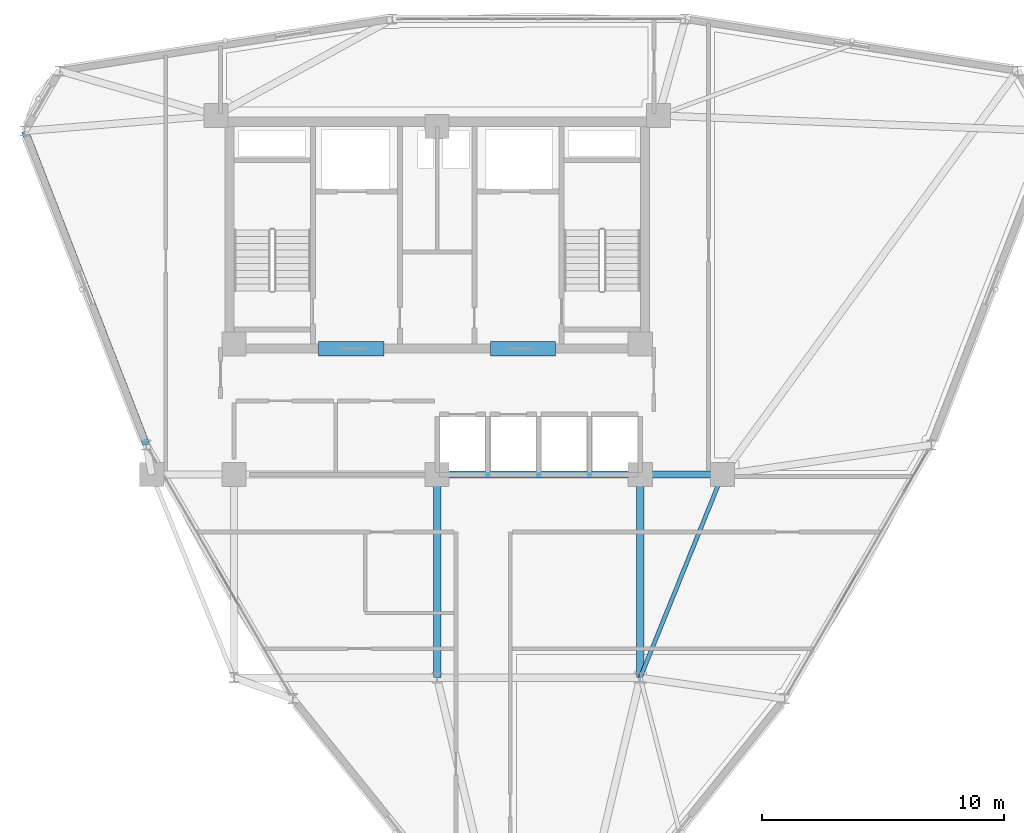
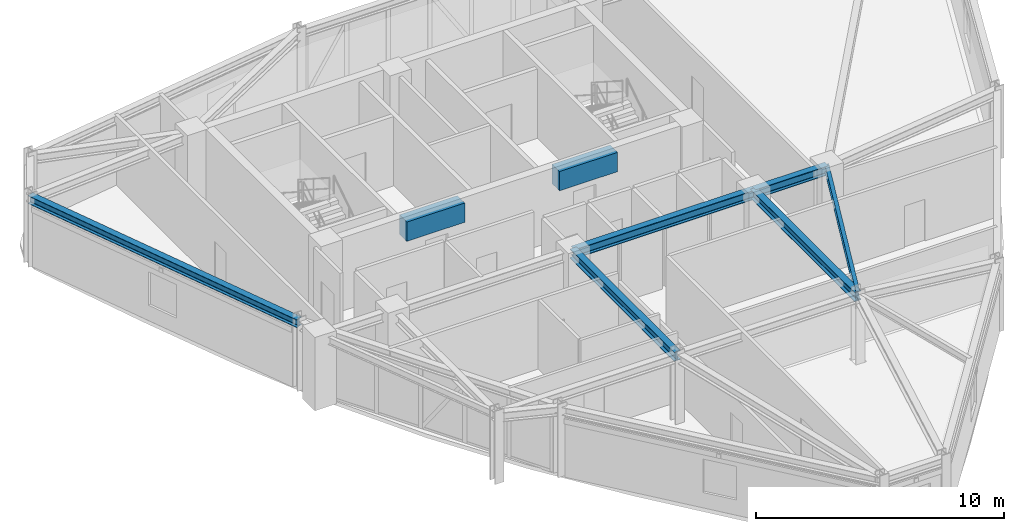
# One storey, part 6 of 16: 8 beams.
"""IFC4 building model written with IfcOpenShell, lengths in metres."""

from ifc_helpers import new_model, si_unit, derived_unit, direction, frame, origin, origin_2d, place, context, subcontext, project, spatial, rectangle, i_section, extrude, source, transform, mapped, material, material_profile, profile_set, type_object, element, save


model = new_model("IFC4")

# Units and contexts
model_context = context("Model", 3, precision=1e-05, world=origin(), true_north=direction((0.0, 1.0)))
body_context = subcontext(model_context, "Body", "Model", "MODEL_VIEW")
ifc_project = project(units=[si_unit("LENGTHUNIT", "METRE"), si_unit("AREAUNIT", "SQUARE_METRE"), si_unit("VOLUMEUNIT", "CUBIC_METRE"), si_unit("PLANEANGLEUNIT", "RADIAN"), si_unit("MASSUNIT", "GRAM", prefix="KILO"), derived_unit("THERMALTRANSMITTANCEUNIT", [(si_unit("POWERUNIT", "WATT"), 1), (si_unit("LENGTHUNIT", "METRE"), -2), (si_unit("THERMODYNAMICTEMPERATUREUNIT", "KELVIN"), -1)])], contexts=[model_context])

# Site, building, storey
site_placement = place(None, origin())
site = spatial("IfcSite", under=ifc_project, at=site_placement, CompositionType="ELEMENT")
building_placement = place(site_placement, origin())
building = spatial("IfcBuilding", under=site, at=building_placement, Name="Korsvarv Bourse and Concert Hall", CompositionType="ELEMENT")
storey_placement = place(building_placement, frame((0.0, 0.0, 227.39990234375)))
storey = spatial("IfcBuildingStorey", under=building, at=storey_placement, Name="L59", CompositionType="ELEMENT", Elevation=227.39990234375)

# Beams
ifc_material_1 = material(Name="Concrete C55/67", Category="concrete")
ifc_material_profile_1 = material_profile(ifc_material_1, rectangle(XDim=0.60009765625, YDim=0.949951171875, at=origin_2d()), Name="RC-BM 600x950")
ifc_profile_set_1 = profile_set([ifc_material_profile_1], Name="Concrete C55/67")
beam_type_1 = type_object("IfcBeamType", Name="BM-CPL", PredefinedType="LINTEL", material=ifc_profile_set_1)
shared_shape_1 = source(origin(), body_context, "Body", "SweptSolid", [
    extrude(rectangle(XDim=0.60009765625, YDim=0.949951171875, at=origin_2d()), origin(), (0.0, 0.0, 1.0), 2.699951171875),
])
for number, where, z_axis, x_axis, name in (
    (1, (31.10009765625, 37.610107421875, 2.93505859375), (1.0, 0.0, 0.0), (0.0, 1.0, 0.0), "L59 Core Coupling Beam West"),
    (2, (38.199951171875, 37.610107421875, 2.93505859375), (1.0, 0.0, 0.0), (0.0, 1.0, 0.0), "L59 Core Coupling Beam East"),
):
    element("IfcBeam", number, at=place(storey_placement, frame(where, z_axis=z_axis, x_axis=x_axis)), inside=storey, type_object=beam_type_1, Name=name, PredefinedType="LINTEL", context=body_context, shape_type="MappedRepresentation", body=[
        mapped(shared_shape_1, transform((0.0, 0.0, 0.0), scale=1.0)),
    ])
ifc_material_2 = material(Name="Steel S355", Category="steel")
ifc_material_profile_2 = material_profile(ifc_material_2, i_section(OverallWidth=0.169921875, OverallDepth=0.360107421875, WebThickness=0.008056640625, FlangeThickness=0.0126953125, FilletRadius=0.01806640625, at=origin_2d()), Name="IPE 360")
ifc_profile_set_2 = profile_set([ifc_material_profile_2], Name="Steel S355")
beam_type_2 = type_object("IfcBeamType", Name="BM-IPE360", PredefinedType="JOIST", material=ifc_profile_set_2)
shared_shape_2 = source(origin(), body_context, "Body", "SweptSolid", [
    extrude(i_section(OverallWidth=0.169921875, OverallDepth=0.360107421875, WebThickness=0.008056640625, FlangeThickness=0.0126953125, FilletRadius=0.01806640625, at=origin_2d()), origin(), (0.0, 0.0, 1.0), 9.06201171875),
])
beam_1_placement = place(storey_placement, frame((47.800048828125, 32.39990234375, 3.22998046875), z_axis=(-0.375210394783, -0.926939674222, 0.0), x_axis=(0.926939674222, -0.375210394783, 0.0)))
element("IfcBeam", 3, at=beam_1_placement, inside=storey, type_object=beam_type_2, Name="L59 beam J-06", PredefinedType="JOIST", context=body_context, shape_type="MappedRepresentation", body=[
    mapped(shared_shape_2, transform((0.0, 0.0, 0.0), scale=1.0)),
])
ifc_material_profile_3 = material_profile(ifc_material_2, i_section(OverallWidth=0.300048828125, OverallDepth=0.449951171875, WebThickness=0.013916015625, FlangeThickness=0.02587890625, FilletRadius=0.02099609375, at=origin_2d()), Name="HEB 450")
ifc_profile_set_3 = profile_set([ifc_material_profile_3], Name="Steel S355")
beam_type_3 = type_object("IfcBeamType", Name="BM-HEB450", PredefinedType="SPANDREL", material=ifc_profile_set_3)
shared_shape_3 = source(origin(), body_context, "Body", "SweptSolid", [
    extrude(i_section(OverallWidth=0.300048828125, OverallDepth=0.449951171875, WebThickness=0.013916015625, FlangeThickness=0.02587890625, FilletRadius=0.02099609375, at=origin_2d()), origin(), (0.0, 0.0, 1.0), 3.400146484375),
])
beam_2_placement = place(storey_placement, frame((44.39990234375, 32.39990234375, 3.18505859375), z_axis=(1.0, 0.0, 0.0), x_axis=(0.0, 1.0, 0.0)))
element("IfcBeam", 4, at=beam_2_placement, inside=storey, type_object=beam_type_3, Name="L59 beam B-08", PredefinedType="SPANDREL", context=body_context, shape_type="MappedRepresentation", body=[
    mapped(shared_shape_3, transform((0.0, 0.0, 0.0), scale=1.0)),
])
shared_shape_4 = source(origin(), body_context, "Body", "SweptSolid", [
    extrude(i_section(OverallWidth=0.300048828125, OverallDepth=0.449951171875, WebThickness=0.013916015625, FlangeThickness=0.02587890625, FilletRadius=0.02099609375, at=origin_2d()), origin(), (0.0, 0.0, 1.0), 8.39990234375),
])
for number, where, z_axis, x_axis, name in (
    (5, (36.0, 32.39990234375, 3.18505859375), (1.0, 0.0, 0.0), (0.0, 1.0, 0.0), "L59 beam B-08"),
    (6, (36.0, 24.0, 3.18505859375), (0.0, 1.0, 0.0), (-1.0, 0.0, 0.0), "L59 beam B-08"),
    (7, (44.39990234375, 24.0, 3.18505859375), (0.0, 1.0, 0.0), (-1.0, 0.0, 0.0), "L59 beam B-08"),
):
    element("IfcBeam", number, at=place(storey_placement, frame(where, z_axis=z_axis, x_axis=x_axis)), inside=storey, type_object=beam_type_3, Name=name, PredefinedType="SPANDREL", context=body_context, shape_type="MappedRepresentation", body=[
        mapped(shared_shape_4, transform((0.0, 0.0, 0.0), scale=1.0)),
    ])
ifc_material_profile_4 = material_profile(ifc_material_2, i_section(OverallWidth=0.300048828125, OverallDepth=0.389892578125, WebThickness=0.010986328125, FlangeThickness=0.01904296875, FilletRadius=0.02099609375, at=origin_2d()), Name="HEA 400")
ifc_profile_set_4 = profile_set([ifc_material_profile_4], Name="Steel S355")
beam_type_4 = type_object("IfcBeamType", Name="BM-HEA400", PredefinedType="BEAM", material=ifc_profile_set_4)
shared_shape_5 = source(origin(), body_context, "Body", "SweptSolid", [
    extrude(i_section(OverallWidth=0.300048828125, OverallDepth=0.389892578125, WebThickness=0.010986328125, FlangeThickness=0.01904296875, FilletRadius=0.02099609375, at=origin_2d()), origin(), (0.0, 0.0, 1.0), 13.913330078125),
])
beam_3_placement = place(storey_placement, frame((18.95263671875, 46.606201171875, 3.215087890625), z_axis=(0.360616494338, -0.932714181307, 0.0), x_axis=(0.932714181307, 0.360616494338, 0.0)))
element("IfcBeam", 8, at=beam_3_placement, inside=storey, type_object=beam_type_4, Name="L59 beam B-11", PredefinedType="BEAM", context=body_context, shape_type="MappedRepresentation", body=[
    mapped(shared_shape_5, transform((0.0, 0.0, 0.0), scale=1.0)),
])

save(model, "model.ifc")
